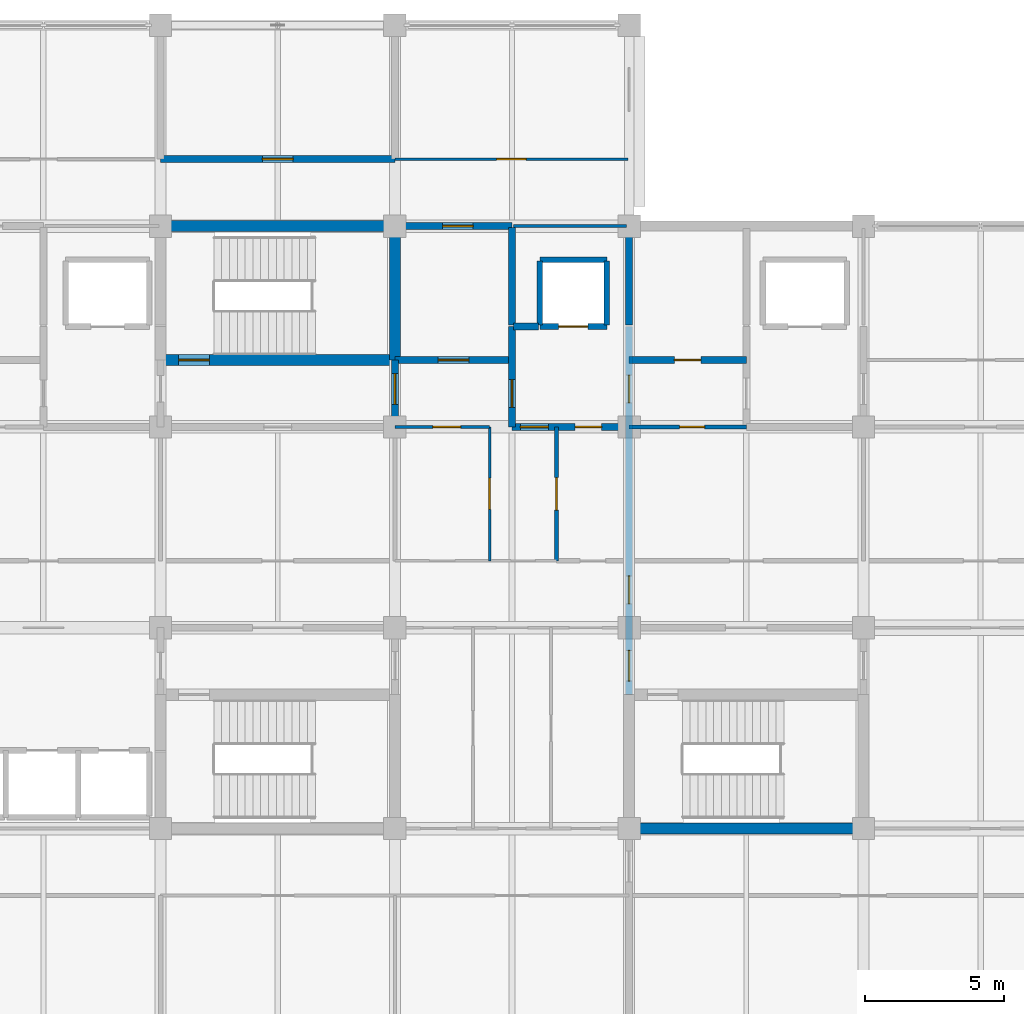
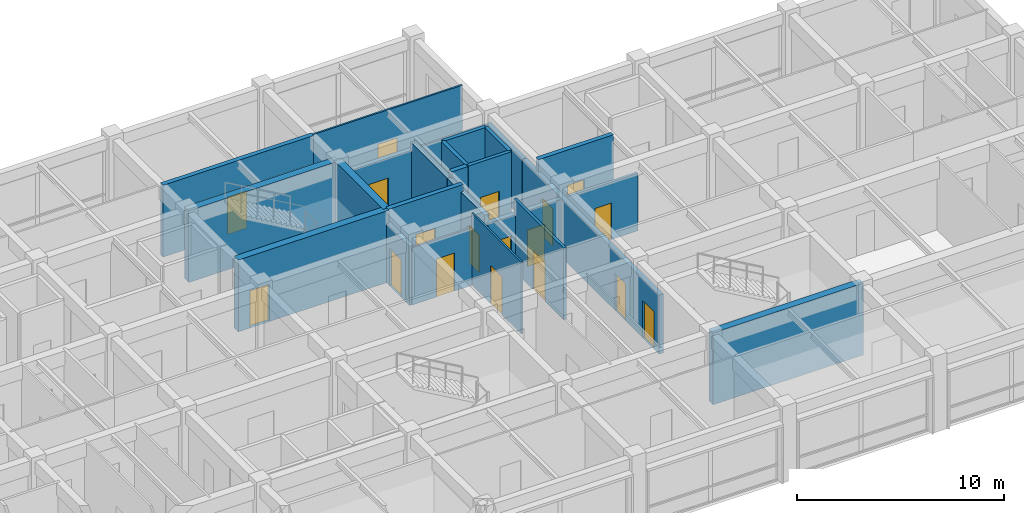
# One storey, part 23 of 30: 25 walls, 18 doors, 18 openings.
"""IFC4 building model written with IfcOpenShell, lengths in metres."""

from ifc_helpers import new_model, si_unit, direction, frame, frame_2d, origin, place, context, subcontext, project, spatial, rectangle, extrude, material, layer, layer_set, type_object, element, fill, save


model = new_model("IFC4")

# Units and contexts
model_context = context("Model", 3, precision=1e-05, world=origin(), true_north=direction((0.0, 1.0)))
body_context = subcontext(model_context, "Body", "Model", "MODEL_VIEW")
ifc_project = project(units=[si_unit("LENGTHUNIT", "METRE"), si_unit("AREAUNIT", "SQUARE_METRE"), si_unit("VOLUMEUNIT", "CUBIC_METRE"), si_unit("PLANEANGLEUNIT", "RADIAN"), si_unit("MASSUNIT", "GRAM", prefix="KILO")], contexts=[model_context])

# Site, building, storey
site_placement = place(None, origin())
site = spatial("IfcSite", under=ifc_project, at=site_placement, CompositionType="ELEMENT")
building_placement = place(site_placement, origin())
building = spatial("IfcBuilding", under=site, at=building_placement, Name="Chengyuan Square Courthouse", CompositionType="ELEMENT")
storey_placement = place(building_placement, frame((0.0, 0.0, 26.10009765625)))
storey = spatial("IfcBuildingStorey", under=building, at=storey_placement, Name="L06", CompositionType="ELEMENT", Elevation=26.10009765625)

# Wall, openings, doors
ifc_material_1 = material(Name="Concrete C40", Category="concrete")
ifc_layer_1 = layer(ifc_material_1, 0.25)
ifc_layer_set_1 = layer_set([ifc_layer_1], Name="Concrete C40")
wall_type_1 = type_object("IfcWallType", Name="WL-FW1", PredefinedType="STANDARD", material=ifc_layer_set_1)
wall_1_placement = place(storey_placement, frame((113.39990234375, 100.800048828125, 0.0), z_axis=(0.0, 0.0, 1.0), x_axis=(1.0, 0.0, 0.0)))
wall_1 = element("IfcWall", 1, at=wall_1_placement, inside=storey, type_object=wall_type_1, Name="Interior Wall WL-L06-I2423", PredefinedType="STANDARD", context=body_context, shape_type="SweptSolid", body=[
    extrude(rectangle(XDim=4.2001953125, YDim=0.25, at=frame_2d((2.10009765625, 0.0))), origin(), (0.0, 0.0, 1.0), 3.389892578125),
])
opening_1_placement = place(wall_1_placement, frame((0.300048828125, 0.0, 0.0)))
opening_1 = element("IfcOpeningElement", 2, at=opening_1_placement, cuts=wall_1, Name="Opening DR-2176", PredefinedType="OPENING", context=body_context, shape_type="SweptSolid", body=[
    extrude(rectangle(XDim=1.0, YDim=2.199951171875, at=frame_2d((0.5, 1.10009765625))), frame((0.0, 0.136962890625, 0.0), z_axis=(0.0, -1.0, 0.0), x_axis=(1.0, 0.0, 0.0)), (0.0, 0.0, 1.0), 0.27392578125),
])
opening_2_placement = place(wall_1_placement, frame((2.264892578125, 0.0, 0.0)))
opening_2 = element("IfcOpeningElement", 3, at=opening_2_placement, cuts=wall_1, Name="Opening DR-2177", PredefinedType="OPENING", context=body_context, shape_type="SweptSolid", body=[
    extrude(rectangle(XDim=0.949951171875, YDim=2.14990234375, at=frame_2d((0.47509765625, 1.074951171875))), frame((0.0, 0.136962890625, 0.0), z_axis=(0.0, -1.0, 0.0), x_axis=(1.0, 0.0, 0.0)), (0.0, 0.0, 1.0), 0.27392578125),
])
ifc_material_2 = material(Name="Steel Q235B Fire Door", Category="steel")
door_type_1 = type_object("IfcDoorType", Name="DT-11", OperationType="NOTDEFINED", PredefinedType="DOOR", material=ifc_material_2)
door_1_placement = place(opening_1_placement, origin())
door_1 = element("IfcDoor", 4, at=door_1_placement, inside=storey, type_object=door_type_1, Name="Interior Door DR-2176", OperationType="SINGLE_SWING_LEFT", OverallHeight=2.199951171875, OverallWidth=1.0, PredefinedType="DOOR", context=body_context, shape_type="SweptSolid", body=[
    extrude(rectangle(XDim=1.0, YDim=2.199951171875, at=frame_2d((0.5, 1.10009765625))), frame((0.0, 0.02490234375, 0.0), z_axis=(0.0, -1.0, 0.0), x_axis=(1.0, 0.0, 0.0)), (0.0, 0.0, 1.0), 0.050048828125),
])
fill(opening_1, door_1)
door_type_2 = type_object("IfcDoorType", Name="DT-12", OperationType="NOTDEFINED", PredefinedType="DOOR", material=ifc_material_2)
door_2_placement = place(opening_2_placement, origin())
door_2 = element("IfcDoor", 5, at=door_2_placement, inside=storey, type_object=door_type_2, Name="Interior Door DR-2177", OperationType="SINGLE_SWING_RIGHT", OverallHeight=2.14990234375, OverallWidth=0.949951171875, PredefinedType="DOOR", context=body_context, shape_type="SweptSolid", body=[
    extrude(rectangle(XDim=0.949951171875, YDim=2.14990234375, at=frame_2d((0.47509765625, 1.074951171875))), frame((0.0, 0.02490234375, 0.0), z_axis=(0.0, -1.0, 0.0), x_axis=(1.0, 0.0, 0.0)), (0.0, 0.0, 1.0), 0.050048828125),
])
fill(opening_2, door_2)

# Wall, opening, door
wall_2_placement = place(storey_placement, frame((109.199951171875, 103.199951171875, 0.0), z_axis=(0.0, 0.0, 1.0), x_axis=(1.0, 0.0, 0.0)))
wall_2 = element("IfcWall", 6, at=wall_2_placement, inside=storey, type_object=wall_type_1, Name="Interior Wall WL-L06-I2436", PredefinedType="STANDARD", context=body_context, shape_type="SweptSolid", body=[
    extrude(rectangle(XDim=4.199951171875, YDim=0.25, at=frame_2d((2.10009765625, 0.0))), origin(), (0.0, 0.0, 1.0), 4.239990234375),
])
opening_3_placement = place(wall_2_placement, frame((1.550048828125, 0.0, 0.0)))
opening_3 = element("IfcOpeningElement", 7, at=opening_3_placement, cuts=wall_2, Name="Opening DR-2172", PredefinedType="OPENING", context=body_context, shape_type="SweptSolid", body=[
    extrude(rectangle(XDim=1.10009765625, YDim=2.199951171875, at=frame_2d((0.550048828125, 1.10009765625))), frame((0.0, 0.136962890625, 0.0), z_axis=(0.0, -1.0, 0.0), x_axis=(1.0, 0.0, 0.0)), (0.0, 0.0, 1.0), 0.27392578125),
])
door_type_3 = type_object("IfcDoorType", Name="DT-10", OperationType="NOTDEFINED", PredefinedType="DOOR", material=ifc_material_2)
door_3_placement = place(opening_3_placement, origin())
door_3 = element("IfcDoor", 8, at=door_3_placement, inside=storey, type_object=door_type_3, Name="Interior Door DR-2172", OperationType="SINGLE_SWING_LEFT", OverallHeight=2.199951171875, OverallWidth=1.10009765625, PredefinedType="DOOR", context=body_context, shape_type="SweptSolid", body=[
    extrude(rectangle(XDim=1.10009765625, YDim=2.199951171875, at=frame_2d((0.550048828125, 1.10009765625))), frame((0.0, 0.02490234375, 0.0), z_axis=(0.0, -1.0, 0.0), x_axis=(1.0, 0.0, 0.0)), (0.0, 0.0, 1.0), 0.050048828125),
])
fill(opening_3, door_3)

wall_3_placement = place(storey_placement, frame((117.60009765625, 103.199951171875, 0.0), z_axis=(0.0, 0.0, 1.0), x_axis=(1.0, 0.0, 0.0)))
wall_3 = element("IfcWall", 9, at=wall_3_placement, inside=storey, type_object=wall_type_1, Name="Interior Wall WL-L06-I2437", PredefinedType="STANDARD", context=body_context, shape_type="SweptSolid", body=[
    extrude(rectangle(XDim=4.199951171875, YDim=0.25, at=frame_2d((2.10009765625, 0.0))), origin(), (0.0, 0.0, 1.0), 4.239990234375),
])
opening_4_placement = place(wall_3_placement, frame((1.625, 0.0, 0.0)))
opening_4 = element("IfcOpeningElement", 10, at=opening_4_placement, cuts=wall_3, Name="Opening DR-2150", PredefinedType="OPENING", context=body_context, shape_type="SweptSolid", body=[
    extrude(rectangle(XDim=0.949951171875, YDim=2.14990234375, at=frame_2d((0.47509765625, 1.074951171875))), frame((0.0, 0.136962890625, 0.0), z_axis=(0.0, -1.0, 0.0), x_axis=(1.0, 0.0, 0.0)), (0.0, 0.0, 1.0), 0.27392578125),
])
door_4_placement = place(opening_4_placement, origin())
door_4 = element("IfcDoor", 11, at=door_4_placement, inside=storey, type_object=door_type_2, Name="Interior Door DR-2150", OperationType="SINGLE_SWING_RIGHT", OverallHeight=2.14990234375, OverallWidth=0.949951171875, PredefinedType="DOOR", context=body_context, shape_type="SweptSolid", body=[
    extrude(rectangle(XDim=0.949951171875, YDim=2.14990234375, at=frame_2d((0.47509765625, 1.074951171875))), frame((0.0, 0.02490234375, 0.0), z_axis=(0.0, -1.0, 0.0), x_axis=(1.0, 0.0, 0.0)), (0.0, 0.0, 1.0), 0.050048828125),
])
fill(opening_4, door_4)

# Wall
wall_4_placement = place(storey_placement, frame((113.449951171875, 104.39990234375, 0.0), z_axis=(0.0, 0.0, 1.0), x_axis=(1.0, 0.0, 0.0)))
element("IfcWall", 12, at=wall_4_placement, inside=storey, type_object=wall_type_1, Name="Interior Wall WL-L06-I2449", PredefinedType="STANDARD", context=body_context, shape_type="SweptSolid", body=[
    extrude(rectangle(XDim=0.900146484375, YDim=0.25, at=frame_2d((0.4501953125, 0.0))), origin(), (0.0, 0.0, 1.0), 4.239990234375),
])

# Wall, opening, door
wall_5_placement = place(storey_placement, frame((109.199951171875, 108.0, 0.0), z_axis=(0.0, 0.0, 1.0), x_axis=(1.0, 0.0, 0.0)))
wall_5 = element("IfcWall", 13, at=wall_5_placement, inside=storey, type_object=wall_type_1, Name="Interior Wall WL-L06-I2473", PredefinedType="STANDARD", context=body_context, shape_type="SweptSolid", body=[
    extrude(rectangle(XDim=4.199951171875, YDim=0.25, at=frame_2d((2.10009765625, 0.0))), origin(), (0.0, 0.0, 1.0), 3.389892578125),
])
opening_5_placement = place(wall_5_placement, frame((1.7099609375, 0.0, 0.0)))
opening_5 = element("IfcOpeningElement", 14, at=opening_5_placement, cuts=wall_5, Name="Opening DR-2175", PredefinedType="OPENING", context=body_context, shape_type="SweptSolid", body=[
    extrude(rectangle(XDim=1.10009765625, YDim=2.199951171875, at=frame_2d((0.550048828125, 1.10009765625))), frame((0.0, 0.136962890625, 0.0), z_axis=(0.0, -1.0, 0.0), x_axis=(1.0, 0.0, 0.0)), (0.0, 0.0, 1.0), 0.27392578125),
])
door_5_placement = place(opening_5_placement, origin())
door_5 = element("IfcDoor", 15, at=door_5_placement, inside=storey, type_object=door_type_3, Name="Interior Door DR-2175", OperationType="SINGLE_SWING_RIGHT", OverallHeight=2.199951171875, OverallWidth=1.10009765625, PredefinedType="DOOR", context=body_context, shape_type="SweptSolid", body=[
    extrude(rectangle(XDim=1.10009765625, YDim=2.199951171875, at=frame_2d((0.550048828125, 1.10009765625))), frame((0.0, 0.02490234375, 0.0), z_axis=(0.0, -1.0, 0.0), x_axis=(1.0, 0.0, 0.0)), (0.0, 0.0, 1.0), 0.050048828125),
])
fill(opening_5, door_5)

wall_6_placement = place(storey_placement, frame((100.800048828125, 110.39990234375, 0.0), z_axis=(0.0, 0.0, 1.0), x_axis=(1.0, 0.0, 0.0)))
wall_6 = element("IfcWall", 16, at=wall_6_placement, inside=storey, type_object=wall_type_1, Name="Interior Wall WL-L06-I2478", PredefinedType="STANDARD", context=body_context, shape_type="SweptSolid", body=[
    extrude(rectangle(XDim=8.39990234375, YDim=0.25, at=frame_2d((4.199951171875, 0.0))), origin(), (0.0, 0.0, 1.0), 4.239990234375),
])
opening_6_placement = place(wall_6_placement, frame((3.64990234375, 0.0, 0.0)))
opening_6 = element("IfcOpeningElement", 17, at=opening_6_placement, cuts=wall_6, Name="Opening DR-2286", PredefinedType="OPENING", context=body_context, shape_type="SweptSolid", body=[
    extrude(rectangle(XDim=1.10009765625, YDim=2.199951171875, at=frame_2d((0.550048828125, 1.10009765625))), frame((0.0, 0.136962890625, 0.0), z_axis=(0.0, -1.0, 0.0), x_axis=(1.0, 0.0, 0.0)), (0.0, 0.0, 1.0), 0.27392578125),
])
door_6_placement = place(opening_6_placement, origin())
door_6 = element("IfcDoor", 18, at=door_6_placement, inside=storey, type_object=door_type_3, Name="Interior Door DR-2286", OperationType="SINGLE_SWING_LEFT", OverallHeight=2.199951171875, OverallWidth=1.10009765625, PredefinedType="DOOR", context=body_context, shape_type="SweptSolid", body=[
    extrude(rectangle(XDim=1.10009765625, YDim=2.199951171875, at=frame_2d((0.550048828125, 1.10009765625))), frame((0.0, 0.02490234375, 0.0), z_axis=(0.0, -1.0, 0.0), x_axis=(1.0, 0.0, 0.0)), (0.0, 0.0, 1.0), 0.050048828125),
])
fill(opening_6, door_6)

wall_7_placement = place(storey_placement, frame((109.199951171875, 100.800048828125, 0.0), z_axis=(0.0, 0.0, 1.0), x_axis=(0.0, 1.0, 0.0)))
wall_7 = element("IfcWall", 19, at=wall_7_placement, inside=storey, type_object=wall_type_1, Name="Interior Wall WL-L06-I2584", PredefinedType="STANDARD", context=body_context, shape_type="SweptSolid", body=[
    extrude(rectangle(XDim=2.39990234375, YDim=0.25, at=frame_2d((1.199951171875, 0.0))), origin(), (0.0, 0.0, 1.0), 3.489990234375),
])
opening_7_placement = place(wall_7_placement, frame((0.81005859375, 0.0, 0.0)))
opening_7 = element("IfcOpeningElement", 20, at=opening_7_placement, cuts=wall_7, Name="Opening DR-2121", PredefinedType="OPENING", context=body_context, shape_type="SweptSolid", body=[
    extrude(rectangle(XDim=1.10009765625, YDim=2.199951171875, at=frame_2d((0.550048828125, 1.10009765625))), frame((0.0, 0.136962890625, 0.0), z_axis=(0.0, -1.0, 0.0), x_axis=(1.0, 0.0, 0.0)), (0.0, 0.0, 1.0), 0.27392578125),
])
door_7_placement = place(opening_7_placement, origin())
door_7 = element("IfcDoor", 21, at=door_7_placement, inside=storey, type_object=door_type_3, Name="Interior Door DR-2121", OperationType="SINGLE_SWING_LEFT", OverallHeight=2.199951171875, OverallWidth=1.10009765625, PredefinedType="DOOR", context=body_context, shape_type="SweptSolid", body=[
    extrude(rectangle(XDim=1.10009765625, YDim=2.199951171875, at=frame_2d((0.550048828125, 1.10009765625))), frame((0.0, 0.02490234375, 0.0), z_axis=(0.0, -1.0, 0.0), x_axis=(1.0, 0.0, 0.0)), (0.0, 0.0, 1.0), 0.050048828125),
])
fill(opening_7, door_7)

wall_8_placement = place(storey_placement, frame((113.39990234375, 100.800048828125, 0.0), z_axis=(0.0, 0.0, 1.0), x_axis=(0.0, 1.0, 0.0)))
wall_8 = element("IfcWall", 22, at=wall_8_placement, inside=storey, type_object=wall_type_1, Name="Interior Wall WL-L06-I2589", PredefinedType="STANDARD", context=body_context, shape_type="SweptSolid", body=[
    extrude(rectangle(XDim=3.599853515625, YDim=0.25, at=frame_2d((1.7998046875, 0.0))), origin(), (0.0, 0.0, 1.0), 3.83984375),
])
opening_8_placement = place(wall_8_placement, frame((0.699951171875, 0.0, 0.0)))
opening_8 = element("IfcOpeningElement", 23, at=opening_8_placement, cuts=wall_8, Name="Opening DR-2173", PredefinedType="OPENING", context=body_context, shape_type="SweptSolid", body=[
    extrude(rectangle(XDim=1.0, YDim=2.199951171875, at=frame_2d((0.5, 1.10009765625))), frame((0.0, 0.136962890625, 0.0), z_axis=(0.0, -1.0, 0.0), x_axis=(1.0, 0.0, 0.0)), (0.0, 0.0, 1.0), 0.27392578125),
])
door_8_placement = place(opening_8_placement, origin())
door_8 = element("IfcDoor", 24, at=door_8_placement, inside=storey, type_object=door_type_1, Name="Interior Door DR-2173", OperationType="SINGLE_SWING_RIGHT", OverallHeight=2.199951171875, OverallWidth=1.0, PredefinedType="DOOR", context=body_context, shape_type="SweptSolid", body=[
    extrude(rectangle(XDim=1.0, YDim=2.199951171875, at=frame_2d((0.5, 1.10009765625))), frame((0.0, 0.02490234375, 0.0), z_axis=(0.0, -1.0, 0.0), x_axis=(1.0, 0.0, 0.0)), (0.0, 0.0, 1.0), 0.050048828125),
])
fill(opening_8, door_8)

# Wall
wall_9_placement = place(storey_placement, frame((113.39990234375, 104.449951171875, 0.0), z_axis=(0.0, 0.0, 1.0), x_axis=(0.0, 1.0, 0.0)))
element("IfcWall", 25, at=wall_9_placement, inside=storey, type_object=wall_type_1, Name="Interior Wall WL-L06-I2590", PredefinedType="STANDARD", context=body_context, shape_type="SweptSolid", body=[
    extrude(rectangle(XDim=3.5, YDim=0.25, at=frame_2d((1.75, 0.0))), origin(), (0.0, 0.0, 1.0), 3.83984375),
])

# Wall, openings, doors
wall_10_placement = place(storey_placement, frame((117.60009765625, 91.199951171875, 0.0), z_axis=(0.0, 0.0, 1.0), x_axis=(0.0, 1.0, 0.0)))
wall_10 = element("IfcWall", 26, at=wall_10_placement, inside=storey, type_object=wall_type_1, Name="Interior Wall WL-L06-I2597", PredefinedType="STANDARD", context=body_context, shape_type="SweptSolid", body=[
    extrude(rectangle(XDim=13.199951171875, YDim=0.25, at=frame_2d((6.60009765625, 0.0))), origin(), (0.0, 0.0, 1.0), 3.489990234375),
])
opening_9_placement = place(wall_10_placement, frame((0.489990234375, 0.0, 0.0)))
opening_9 = element("IfcOpeningElement", 27, at=opening_9_placement, cuts=wall_10, Name="Opening DR-2133", PredefinedType="OPENING", context=body_context, shape_type="SweptSolid", body=[
    extrude(rectangle(XDim=1.10009765625, YDim=2.199951171875, at=frame_2d((0.550048828125, 1.10009765625))), frame((0.0, 0.136962890625, 0.0), z_axis=(0.0, -1.0, 0.0), x_axis=(1.0, 0.0, 0.0)), (0.0, 0.0, 1.0), 0.27392578125),
])
opening_10_placement = place(wall_10_placement, frame((10.4599609375, 0.0, 0.0)))
opening_10 = element("IfcOpeningElement", 28, at=opening_10_placement, cuts=wall_10, Name="Opening DR-2152", PredefinedType="OPENING", context=body_context, shape_type="SweptSolid", body=[
    extrude(rectangle(XDim=1.0, YDim=2.199951171875, at=frame_2d((0.5, 1.10009765625))), frame((0.0, 0.136962890625, 0.0), z_axis=(0.0, -1.0, 0.0), x_axis=(1.0, 0.0, 0.0)), (0.0, 0.0, 1.0), 0.27392578125),
])
opening_11_placement = place(wall_10_placement, frame((3.260009765625, 0.0, 0.0)))
opening_11 = element("IfcOpeningElement", 29, at=opening_11_placement, cuts=wall_10, Name="Opening DR-2215", PredefinedType="OPENING", context=body_context, shape_type="SweptSolid", body=[
    extrude(rectangle(XDim=1.0, YDim=2.199951171875, at=frame_2d((0.5, 1.10009765625))), frame((0.0, 0.136962890625, 0.0), z_axis=(0.0, -1.0, 0.0), x_axis=(1.0, 0.0, 0.0)), (0.0, 0.0, 1.0), 0.27392578125),
])
door_9_placement = place(opening_9_placement, origin())
door_9 = element("IfcDoor", 30, at=door_9_placement, inside=storey, type_object=door_type_3, Name="Interior Door DR-2133", OperationType="SINGLE_SWING_LEFT", OverallHeight=2.199951171875, OverallWidth=1.10009765625, PredefinedType="DOOR", context=body_context, shape_type="SweptSolid", body=[
    extrude(rectangle(XDim=1.10009765625, YDim=2.199951171875, at=frame_2d((0.550048828125, 1.10009765625))), frame((0.0, 0.02490234375, 0.0), z_axis=(0.0, -1.0, 0.0), x_axis=(1.0, 0.0, 0.0)), (0.0, 0.0, 1.0), 0.050048828125),
])
fill(opening_9, door_9)
door_10_placement = place(opening_10_placement, origin())
door_10 = element("IfcDoor", 31, at=door_10_placement, inside=storey, type_object=door_type_1, Name="Interior Door DR-2152", OperationType="SINGLE_SWING_RIGHT", OverallHeight=2.199951171875, OverallWidth=1.0, PredefinedType="DOOR", context=body_context, shape_type="SweptSolid", body=[
    extrude(rectangle(XDim=1.0, YDim=2.199951171875, at=frame_2d((0.5, 1.10009765625))), frame((0.0, 0.02490234375, 0.0), z_axis=(0.0, -1.0, 0.0), x_axis=(1.0, 0.0, 0.0)), (0.0, 0.0, 1.0), 0.050048828125),
])
fill(opening_10, door_10)
door_11_placement = place(opening_11_placement, origin())
door_11 = element("IfcDoor", 32, at=door_11_placement, inside=storey, type_object=door_type_1, Name="Interior Door DR-2215", OperationType="SINGLE_SWING_RIGHT", OverallHeight=2.199951171875, OverallWidth=1.0, PredefinedType="DOOR", context=body_context, shape_type="SweptSolid", body=[
    extrude(rectangle(XDim=1.0, YDim=2.199951171875, at=frame_2d((0.5, 1.10009765625))), frame((0.0, 0.02490234375, 0.0), z_axis=(0.0, -1.0, 0.0), x_axis=(1.0, 0.0, 0.0)), (0.0, 0.0, 1.0), 0.050048828125),
])
fill(opening_11, door_11)

# Wall
wall_11_placement = place(storey_placement, frame((117.60009765625, 104.449951171875, 0.0), z_axis=(0.0, 0.0, 1.0), x_axis=(0.0, 1.0, 0.0)))
element("IfcWall", 33, at=wall_11_placement, inside=storey, type_object=wall_type_1, Name="Interior Wall WL-L06-I2598", PredefinedType="STANDARD", context=body_context, shape_type="SweptSolid", body=[
    extrude(rectangle(XDim=3.4599609375, YDim=0.25, at=frame_2d((1.72998046875, 0.0))), origin(), (0.0, 0.0, 1.0), 3.489990234375),
])

# Wall, opening, door
ifc_material_3 = material(Name="Deliberation Room Sound-Insulated Partition")
ifc_layer_2 = layer(ifc_material_3, 0.14990234375)
ifc_layer_set_2 = layer_set([ifc_layer_2], Name="Deliberation Room Sound-Insulated Partition")
wall_type_2 = type_object("IfcWallType", Name="WL-PT3", PredefinedType="STANDARD", material=ifc_layer_set_2)
wall_12_placement = place(storey_placement, frame((117.60009765625, 100.800048828125, 0.0), z_axis=(0.0, 0.0, 1.0), x_axis=(1.0, 0.0, 0.0)))
wall_12 = element("IfcWall", 34, at=wall_12_placement, inside=storey, type_object=wall_type_2, Name="Interior Wall WL-L06-I2424", PredefinedType="STANDARD", context=body_context, shape_type="SweptSolid", body=[
    extrude(rectangle(XDim=4.199951171875, YDim=0.14990234375, at=frame_2d((2.10009765625, 0.0))), origin(), (0.0, 0.0, 1.0), 3.389892578125),
])
opening_12_placement = place(wall_12_placement, frame((1.81005859375, 0.0, 0.0)))
opening_12 = element("IfcOpeningElement", 35, at=opening_12_placement, cuts=wall_12, Name="Opening DR-2153", PredefinedType="OPENING", context=body_context, shape_type="SweptSolid", body=[
    extrude(rectangle(XDim=0.89990234375, YDim=2.14990234375, at=frame_2d((0.449951171875, 1.074951171875))), frame((0.0, 0.0869140625, 0.0), z_axis=(0.0, -1.0, 0.0), x_axis=(1.0, 0.0, 0.0)), (0.0, 0.0, 1.0), 0.173828125),
])
ifc_material_4 = material(Name="Acoustic Solid-Core Timber Door", Category="wood")
door_type_4 = type_object("IfcDoorType", Name="DT-27", OperationType="NOTDEFINED", PredefinedType="DOOR", material=ifc_material_4)
door_12_placement = place(opening_12_placement, origin())
door_12 = element("IfcDoor", 36, at=door_12_placement, inside=storey, type_object=door_type_4, Name="Interior Door DR-2153", OperationType="SINGLE_SWING_LEFT", OverallHeight=2.14990234375, OverallWidth=0.89990234375, PredefinedType="DOOR", context=body_context, shape_type="SweptSolid", body=[
    extrude(rectangle(XDim=0.89990234375, YDim=2.14990234375, at=frame_2d((0.449951171875, 1.074951171875))), frame((0.0, 0.02490234375, 0.0), z_axis=(0.0, -1.0, 0.0), x_axis=(1.0, 0.0, 0.0)), (0.0, 0.0, 1.0), 0.050048828125),
])
fill(opening_12, door_12)

wall_13_placement = place(storey_placement, frame((115.0, 96.0, 0.0), z_axis=(0.0, 0.0, 1.0), x_axis=(0.0, 1.0, 0.0)))
wall_13 = element("IfcWall", 37, at=wall_13_placement, inside=storey, type_object=wall_type_2, Name="Interior Wall WL-L06-I2593", PredefinedType="STANDARD", context=body_context, shape_type="SweptSolid", body=[
    extrude(rectangle(XDim=4.800048828125, YDim=0.14990234375, at=frame_2d((2.39990234375, 0.0))), origin(), (0.0, 0.0, 1.0), 4.239990234375),
])
opening_13_placement = place(wall_13_placement, frame((1.820068359375, 0.0, 0.0)))
opening_13 = element("IfcOpeningElement", 38, at=opening_13_placement, cuts=wall_13, Name="Opening DR-2246", PredefinedType="OPENING", context=body_context, shape_type="SweptSolid", body=[
    extrude(rectangle(XDim=1.159912109375, YDim=2.300048828125, at=frame_2d((0.580078125, 1.14990234375))), frame((0.0, 0.0869140625, 0.0), z_axis=(0.0, -1.0, 0.0), x_axis=(1.0, 0.0, 0.0)), (0.0, 0.0, 1.0), 0.173828125),
])
door_type_5 = type_object("IfcDoorType", Name="DT-35", OperationType="NOTDEFINED", PredefinedType="DOOR", material=ifc_material_4)
door_13_placement = place(opening_13_placement, origin())
door_13 = element("IfcDoor", 39, at=door_13_placement, inside=storey, type_object=door_type_5, Name="Interior Door DR-2246", OperationType="SINGLE_SWING_RIGHT", OverallHeight=2.300048828125, OverallWidth=1.159912109375, PredefinedType="DOOR", context=body_context, shape_type="SweptSolid", body=[
    extrude(rectangle(XDim=1.159912109375, YDim=2.300048828125, at=frame_2d((0.580078125, 1.14990234375))), frame((0.0, 0.02490234375, 0.0), z_axis=(0.0, -1.0, 0.0), x_axis=(1.0, 0.0, 0.0)), (0.0, 0.0, 1.0), 0.050048828125),
])
fill(opening_13, door_13)

ifc_material_5 = material(Name="Gypsum Plasterboard Acoustic Stud Partition")
ifc_layer_3 = layer(ifc_material_5, 0.10009765625)
ifc_layer_set_3 = layer_set([ifc_layer_3], Name="Gypsum Plasterboard Acoustic Stud Partition")
wall_type_3 = type_object("IfcWallType", Name="WL-PT6", PredefinedType="STANDARD", material=ifc_layer_set_3)
wall_14_placement = place(storey_placement, frame((109.199951171875, 100.800048828125, 0.0), z_axis=(0.0, 0.0, 1.0), x_axis=(1.0, 0.0, 0.0)))
wall_14 = element("IfcWall", 40, at=wall_14_placement, inside=storey, type_object=wall_type_3, Name="Interior Wall WL-L06-I2422", PredefinedType="STANDARD", context=body_context, shape_type="SweptSolid", body=[
    extrude(rectangle(XDim=3.400146484375, YDim=0.10009765625, at=frame_2d((1.7001953125, 0.0))), origin(), (0.0, 0.0, 1.0), 3.389892578125),
])
opening_14_placement = place(wall_14_placement, frame((1.360107421875, 0.0, 0.0)))
opening_14 = element("IfcOpeningElement", 41, at=opening_14_placement, cuts=wall_14, Name="Opening DR-2174", PredefinedType="OPENING", context=body_context, shape_type="SweptSolid", body=[
    extrude(rectangle(XDim=1.0, YDim=2.25, at=frame_2d((0.5, 1.125))), frame((0.0, 0.06201171875, 0.0), z_axis=(0.0, -1.0, 0.0), x_axis=(1.0, 0.0, 0.0)), (0.0, 0.0, 1.0), 0.1240234375),
])
door_type_6 = type_object("IfcDoorType", Name="DT-31", OperationType="NOTDEFINED", PredefinedType="DOOR", material=ifc_material_4)
door_14_placement = place(opening_14_placement, origin())
door_14 = element("IfcDoor", 42, at=door_14_placement, inside=storey, type_object=door_type_6, Name="Interior Door DR-2174", OperationType="SINGLE_SWING_LEFT", OverallHeight=2.25, OverallWidth=1.0, PredefinedType="DOOR", context=body_context, shape_type="SweptSolid", body=[
    extrude(rectangle(XDim=1.0, YDim=2.25, at=frame_2d((0.5, 1.125))), frame((0.0, 0.02490234375, 0.0), z_axis=(0.0, -1.0, 0.0), x_axis=(1.0, 0.0, 0.0)), (0.0, 0.0, 1.0), 0.050048828125),
])
fill(opening_14, door_14)

# Wall
wall_15_placement = place(storey_placement, frame((113.449951171875, 108.0, 0.0), z_axis=(0.0, 0.0, 1.0), x_axis=(1.0, 0.0, 0.0)))
element("IfcWall", 43, at=wall_15_placement, inside=storey, type_object=wall_type_3, Name="Interior Wall WL-L06-I2474", PredefinedType="STANDARD", context=body_context, shape_type="SweptSolid", body=[
    extrude(rectangle(XDim=4.06005859375, YDim=0.10009765625, at=frame_2d((2.030029296875, 0.0))), origin(), (0.0, 0.0, 1.0), 3.389892578125),
])

# Wall, opening, door
wall_16_placement = place(storey_placement, frame((109.199951171875, 110.39990234375, 0.0), z_axis=(0.0, 0.0, 1.0), x_axis=(1.0, 0.0, 0.0)))
wall_16 = element("IfcWall", 44, at=wall_16_placement, inside=storey, type_object=wall_type_3, Name="Interior Wall WL-L06-I2479", PredefinedType="STANDARD", context=body_context, shape_type="SweptSolid", body=[
    extrude(rectangle(XDim=8.360107421875, YDim=0.10009765625, at=frame_2d((4.18017578125, 0.0))), origin(), (0.0, 0.0, 1.0), 4.239990234375),
])
opening_15_placement = place(wall_16_placement, frame((3.64990234375, 0.0, 0.0)))
opening_15 = element("IfcOpeningElement", 45, at=opening_15_placement, cuts=wall_16, Name="Opening DR-2287", PredefinedType="OPENING", context=body_context, shape_type="SweptSolid", body=[
    extrude(rectangle(XDim=1.06005859375, YDim=2.39990234375, at=frame_2d((0.530029296875, 1.199951171875))), frame((0.0, 0.06201171875, 0.0), z_axis=(0.0, -1.0, 0.0), x_axis=(1.0, 0.0, 0.0)), (0.0, 0.0, 1.0), 0.1240234375),
])
door_type_7 = type_object("IfcDoorType", Name="DT-42", OperationType="NOTDEFINED", PredefinedType="DOOR", material=ifc_material_4)
door_15_placement = place(opening_15_placement, origin())
door_15 = element("IfcDoor", 46, at=door_15_placement, inside=storey, type_object=door_type_7, Name="Interior Door DR-2287", OperationType="SINGLE_SWING_RIGHT", OverallHeight=2.39990234375, OverallWidth=1.06005859375, PredefinedType="DOOR", context=body_context, shape_type="SweptSolid", body=[
    extrude(rectangle(XDim=1.06005859375, YDim=2.39990234375, at=frame_2d((0.530029296875, 1.199951171875))), frame((0.0, 0.02490234375, 0.0), z_axis=(0.0, -1.0, 0.0), x_axis=(1.0, 0.0, 0.0)), (0.0, 0.0, 1.0), 0.050048828125),
])
fill(opening_15, door_15)

wall_17_placement = place(storey_placement, frame((112.60009765625, 96.0, 0.0), z_axis=(0.0, 0.0, 1.0), x_axis=(0.0, 1.0, 0.0)))
wall_17 = element("IfcWall", 47, at=wall_17_placement, inside=storey, type_object=wall_type_3, Name="Interior Wall WL-L06-I2588", PredefinedType="STANDARD", context=body_context, shape_type="SweptSolid", body=[
    extrude(rectangle(XDim=4.800048828125, YDim=0.10009765625, at=frame_2d((2.39990234375, 0.0))), origin(), (0.0, 0.0, 1.0), 4.239990234375),
])
opening_16_placement = place(wall_17_placement, frame((1.840087890625, 0.0, 0.0)))
opening_16 = element("IfcOpeningElement", 48, at=opening_16_placement, cuts=wall_17, Name="Opening DR-2245", PredefinedType="OPENING", context=body_context, shape_type="SweptSolid", body=[
    extrude(rectangle(XDim=1.1201171875, YDim=2.25, at=frame_2d((0.56005859375, 1.125))), frame((0.0, 0.06201171875, 0.0), z_axis=(0.0, -1.0, 0.0), x_axis=(1.0, 0.0, 0.0)), (0.0, 0.0, 1.0), 0.1240234375),
])
door_type_8 = type_object("IfcDoorType", Name="DT-34", OperationType="NOTDEFINED", PredefinedType="DOOR", material=ifc_material_4)
door_16_placement = place(opening_16_placement, origin())
door_16 = element("IfcDoor", 49, at=door_16_placement, inside=storey, type_object=door_type_8, Name="Interior Door DR-2245", OperationType="SINGLE_SWING_LEFT", OverallHeight=2.25, OverallWidth=1.1201171875, PredefinedType="DOOR", context=body_context, shape_type="SweptSolid", body=[
    extrude(rectangle(XDim=1.1201171875, YDim=2.25, at=frame_2d((0.56005859375, 1.125))), frame((0.0, 0.02490234375, 0.0), z_axis=(0.0, -1.0, 0.0), x_axis=(1.0, 0.0, 0.0)), (0.0, 0.0, 1.0), 0.050048828125),
])
fill(opening_16, door_16)

ifc_material_6 = material(Name="Reinforced Masonry Shaft Enclosure", Category="masonry")
ifc_layer_4 = layer(ifc_material_6, 0.199951171875)
ifc_layer_set_4 = layer_set([ifc_layer_4], Name="Reinforced Masonry Shaft Enclosure")
wall_type_4 = type_object("IfcWallType", Name="WL-SH1", PredefinedType="STANDARD", material=ifc_layer_set_4)
wall_18_placement = place(storey_placement, frame((114.39990234375, 104.39990234375, 0.0), z_axis=(0.0, 0.0, 1.0), x_axis=(1.0, 0.0, 0.0)))
wall_18 = element("IfcWall", 50, at=wall_18_placement, inside=storey, type_object=wall_type_4, Name="Interior Wall WL-L06-I2450", PredefinedType="STANDARD", context=body_context, shape_type="SweptSolid", body=[
    extrude(rectangle(XDim=2.400146484375, YDim=0.199951171875, at=frame_2d((1.2001953125, 0.0))), origin(), (0.0, 0.0, 1.0), 4.239990234375),
])
opening_17_placement = place(wall_18_placement, frame((0.675048828125, 0.0, 0.0)))
opening_17 = element("IfcOpeningElement", 51, at=opening_17_placement, cuts=wall_18, Name="Opening LD-116", PredefinedType="OPENING", context=body_context, shape_type="SweptSolid", body=[
    extrude(rectangle(XDim=1.050048828125, YDim=2.14990234375, at=frame_2d((0.52490234375, 1.074951171875))), frame((0.0, 0.112060546875, 0.0), z_axis=(0.0, -1.0, 0.0), x_axis=(1.0, 0.0, 0.0)), (0.0, 0.0, 1.0), 0.223876953125),
])
ifc_material_7 = material(Name="Stainless Steel S30408 Lift Landing Door", Category="steel")
door_type_9 = type_object("IfcDoorType", Name="DT-08", OperationType="DOUBLE_DOOR_SLIDING", PredefinedType="DOOR", material=ifc_material_7)
door_17_placement = place(opening_17_placement, origin())
door_17 = element("IfcDoor", 52, at=door_17_placement, inside=storey, type_object=door_type_9, Name="Lift Landing Door LF-C2 L06", OperationType="DOUBLE_DOOR_SLIDING", OverallHeight=2.14990234375, OverallWidth=1.050048828125, PredefinedType="DOOR", context=body_context, shape_type="SweptSolid", body=[
    extrude(rectangle(XDim=1.050048828125, YDim=2.14990234375, at=frame_2d((0.52490234375, 1.074951171875))), frame((0.0, 0.02490234375, 0.0), z_axis=(0.0, -1.0, 0.0), x_axis=(1.0, 0.0, 0.0)), (0.0, 0.0, 1.0), 0.050048828125),
])
fill(opening_17, door_17)

# Walls
wall_19_placement = place(storey_placement, frame((114.39990234375, 106.800048828125, 0.0), z_axis=(0.0, 0.0, 1.0), x_axis=(1.0, 0.0, 0.0)))
element("IfcWall", 53, at=wall_19_placement, inside=storey, type_object=wall_type_4, Name="Interior Wall WL-L06-I2460", PredefinedType="STANDARD", context=body_context, shape_type="SweptSolid", body=[
    extrude(rectangle(XDim=2.400146484375, YDim=0.199951171875, at=frame_2d((1.2001953125, 0.0))), origin(), (0.0, 0.0, 1.0), 4.239990234375),
])
for number, where, z_axis, x_axis, name in (
    (54, (114.39990234375, 104.449951171875, 0.0), (0.0, 0.0, 1.0), (0.0, 1.0, 0.0), "Interior Wall WL-L06-I2591"),
    (55, (116.800048828125, 104.449951171875, 0.0), (0.0, 0.0, 1.0), (0.0, 1.0, 0.0), "Interior Wall WL-L06-I2594"),
):
    element("IfcWall", number, at=place(storey_placement, frame(where, z_axis=z_axis, x_axis=x_axis)), inside=storey, type_object=wall_type_4, Name=name, PredefinedType="STANDARD", context=body_context, shape_type="SweptSolid", body=[
        extrude(rectangle(XDim=2.300048828125, YDim=0.199951171875, at=frame_2d((1.14990234375, 0.0))), origin(), (0.0, 0.0, 1.0), 4.239990234375),
    ])
ifc_material_8 = material(Name="Concrete C50", Category="concrete")
ifc_layer_5 = layer(ifc_material_8, 0.39990234375)
ifc_layer_set_5 = layer_set([ifc_layer_5], Name="Concrete C50")
wall_type_5 = type_object("IfcWallType", Name="WL-SW1", PredefinedType="SHEAR", material=ifc_layer_set_5)
wall_20_placement = place(storey_placement, frame((117.60009765625, 86.39990234375, 0.0), z_axis=(0.0, 0.0, 1.0), x_axis=(1.0, 0.0, 0.0)))
element("IfcWall", 56, at=wall_20_placement, inside=storey, type_object=wall_type_5, Name="Interior Wall WL-L06-I2376", PredefinedType="SHEAR", context=body_context, shape_type="SweptSolid", body=[
    extrude(rectangle(XDim=8.39990234375, YDim=0.39990234375, at=frame_2d((4.199951171875, 0.0))), origin(), (0.0, 0.0, 1.0), 4.239990234375),
])

# Wall, opening, door
wall_21_placement = place(storey_placement, frame((100.800048828125, 103.199951171875, 0.0), z_axis=(0.0, 0.0, 1.0), x_axis=(1.0, 0.0, 0.0)))
wall_21 = element("IfcWall", 57, at=wall_21_placement, inside=storey, type_object=wall_type_5, Name="Interior Wall WL-L06-I2435", PredefinedType="SHEAR", context=body_context, shape_type="SweptSolid", body=[
    extrude(rectangle(XDim=8.39990234375, YDim=0.39990234375, at=frame_2d((4.199951171875, 0.0))), origin(), (0.0, 0.0, 1.0), 4.239990234375),
])
opening_18_placement = place(wall_21_placement, frame((0.64990234375, 0.0, 0.0)))
opening_18 = element("IfcOpeningElement", 58, at=opening_18_placement, cuts=wall_21, Name="Opening DR-2112", PredefinedType="OPENING", context=body_context, shape_type="SweptSolid", body=[
    extrude(rectangle(XDim=1.10009765625, YDim=2.199951171875, at=frame_2d((0.550048828125, 1.10009765625))), frame((0.0, 0.2119140625, 0.0), z_axis=(0.0, -1.0, 0.0), x_axis=(1.0, 0.0, 0.0)), (0.0, 0.0, 1.0), 0.423828125),
])
door_18_placement = place(opening_18_placement, origin())
door_18 = element("IfcDoor", 59, at=door_18_placement, inside=storey, type_object=door_type_3, Name="Smoke-Proof Stairwell Fire Door ST-2 DR-2112", OperationType="SINGLE_SWING_RIGHT", OverallHeight=2.199951171875, OverallWidth=1.10009765625, PredefinedType="DOOR", context=body_context, shape_type="SweptSolid", body=[
    extrude(rectangle(XDim=1.10009765625, YDim=2.199951171875, at=frame_2d((0.550048828125, 1.10009765625))), frame((0.0, 0.02490234375, 0.0), z_axis=(0.0, -1.0, 0.0), x_axis=(1.0, 0.0, 0.0)), (0.0, 0.0, 1.0), 0.050048828125),
])
fill(opening_18, door_18)

# Walls
wall_22_placement = place(storey_placement, frame((100.800048828125, 108.0, 0.0), z_axis=(0.0, 0.0, 1.0), x_axis=(1.0, 0.0, 0.0)))
element("IfcWall", 60, at=wall_22_placement, inside=storey, type_object=wall_type_5, Name="Interior Wall WL-L06-I2472", PredefinedType="SHEAR", context=body_context, shape_type="SweptSolid", body=[
    extrude(rectangle(XDim=8.39990234375, YDim=0.39990234375, at=frame_2d((4.199951171875, 0.0))), origin(), (0.0, 0.0, 1.0), 4.239990234375),
])
wall_23_placement = place(storey_placement, frame((109.199951171875, 103.199951171875, 0.0), z_axis=(0.0, 0.0, 1.0), x_axis=(0.0, 1.0, 0.0)))
element("IfcWall", 61, at=wall_23_placement, inside=storey, type_object=wall_type_5, Name="Interior Wall WL-L06-I2585", PredefinedType="SHEAR", context=body_context, shape_type="SweptSolid", body=[
    extrude(rectangle(XDim=4.800048828125, YDim=0.39990234375, at=frame_2d((2.39990234375, 0.0))), origin(), (0.0, 0.0, 1.0), 4.239990234375),
])

save(model, "model.ifc")
